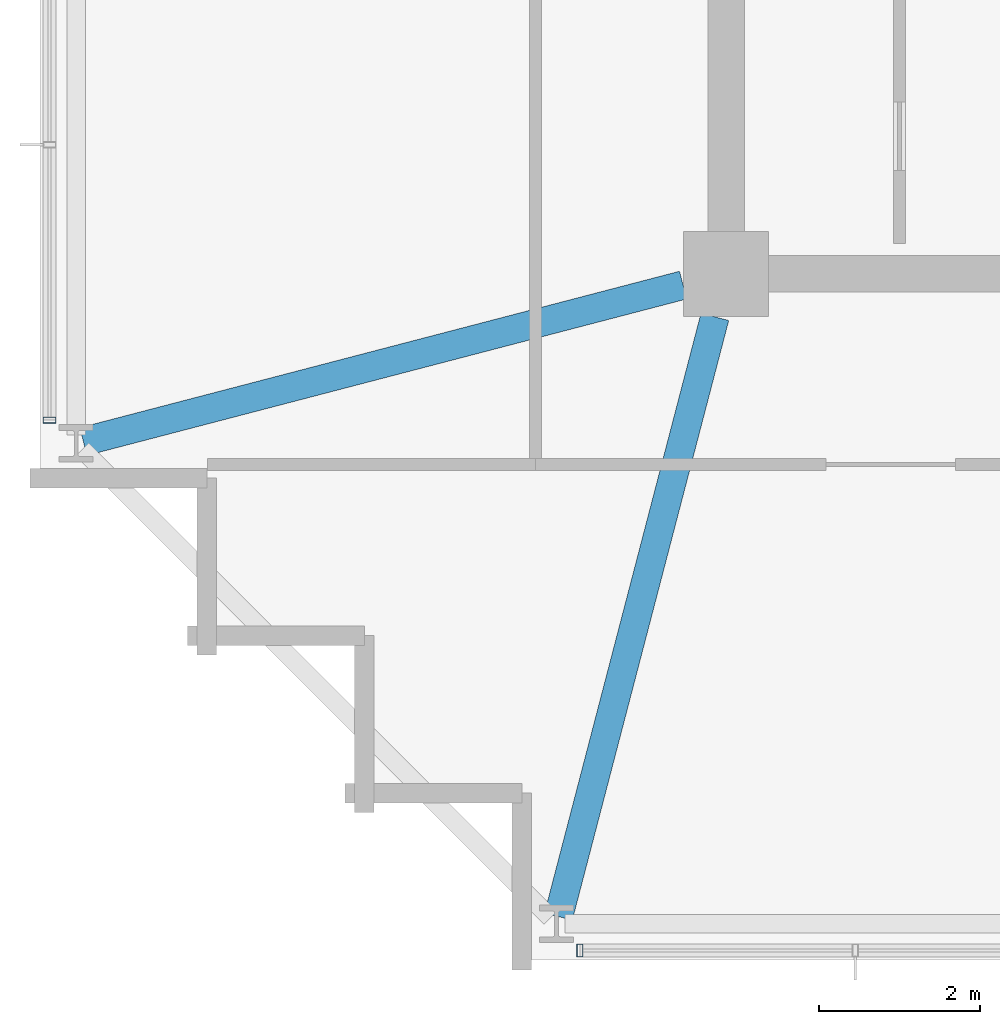
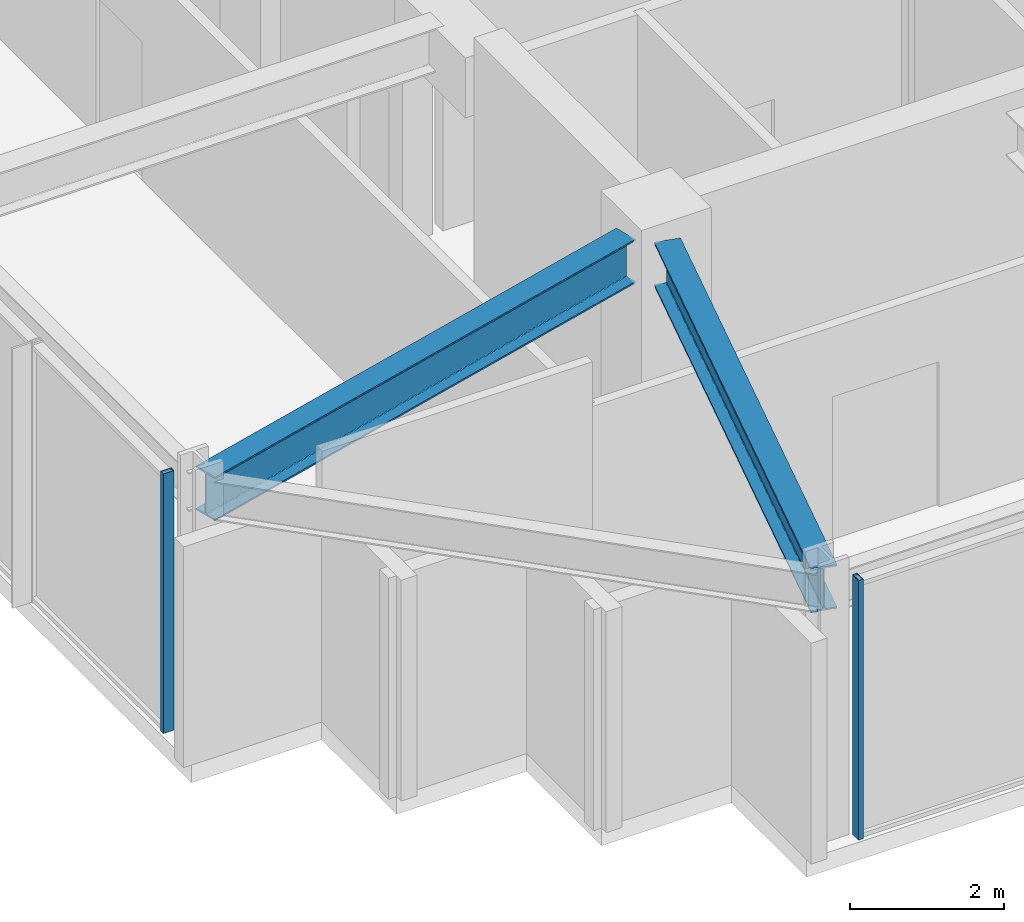
# One storey, part 2 of 26: 2 beams, 2 members, 2 elements without a shape of their own.
"""IFC4 building model written with IfcOpenShell, lengths in metres."""

from ifc_helpers import new_model, si_unit, direction, frame, origin, origin_2d, place, context, subcontext, project, spatial, hollow_rectangle, i_section, extrude, material, material_profile, profile_set, type_object, element, aggregate, save


model = new_model("IFC4")

# Units and contexts
model_context = context("Model", 3, precision=1e-05, world=origin(), true_north=direction((0.0, 1.0)))
body_context = subcontext(model_context, "Body", "Model", "MODEL_VIEW")
ifc_project = project(units=[si_unit("LENGTHUNIT", "METRE"), si_unit("AREAUNIT", "SQUARE_METRE"), si_unit("VOLUMEUNIT", "CUBIC_METRE"), si_unit("PLANEANGLEUNIT", "RADIAN"), si_unit("MASSUNIT", "GRAM", prefix="KILO")], contexts=[model_context])

# Site, building, storey
site_placement = place(None, origin())
site = spatial("IfcSite", under=ifc_project, at=site_placement, CompositionType="ELEMENT")
building_placement = place(site_placement, origin())
building = spatial("IfcBuilding", under=site, at=building_placement, Name="Kolvaren Belvedere", CompositionType="ELEMENT")
storey_placement = place(building_placement, frame((0.0, 0.0, 258.39990234375)))
storey = spatial("IfcBuildingStorey", under=building, at=storey_placement, Name="L75", CompositionType="ELEMENT", Elevation=258.39990234375)

# Beams
ifc_material_1 = material(Name="Structural steel ASTM A992 Grade 50", Category="steel")
ifc_material_profile_1 = material_profile(ifc_material_1, i_section(OverallWidth=0.35498046875, OverallDepth=0.696044921875, WebThickness=0.015380859375, FlangeThickness=0.02490234375, FilletRadius=0.02197265625, at=origin_2d()), Name="W27X146")
ifc_profile_set_1 = profile_set([ifc_material_profile_1], Name="Structural steel ASTM A992 Grade 50")
beam_type = type_object("IfcBeamType", Name="BM-GIRD-W27X146", PredefinedType="BEAM", material=ifc_profile_set_1)
for number, where, z_axis, x_axis, name in (
    (1, (-10.038818359375, -10.43212890625, 3.772216796875), (-0.252423191796, -0.967616934661, 0.0), (0.967616934661, -0.252423191796, 0.0), "L75 Corner Core-to-Perimeter Girder CC1-S1"),
    (2, (-10.43212890625, -10.038818359375, 3.772216796875), (-0.967616934661, -0.252423191796, 0.0), (0.252423191796, -0.967616934661, 0.0), "L75 Corner Core-to-Perimeter Girder CC1-W1"),
):
    element("IfcBeam", number, at=place(storey_placement, frame(where, z_axis=z_axis, x_axis=x_axis)), inside=storey, type_object=beam_type, Name=name, PredefinedType="BEAM", context=body_context, shape_type="SweptSolid", body=[
        extrude(i_section(OverallWidth=0.35498046875, OverallDepth=0.696044921875, WebThickness=0.015380859375, FlangeThickness=0.02490234375, FilletRadius=0.02197265625, at=origin_2d()), origin(), (0.0, 0.0, 1.0), 7.676513671875),
    ])

# Curtain wall, member
ifc_material_2 = material(Name="Anodised pale-metal aluminium AA 6063-T6", Category="aluminium")
curtain_wall_type = type_object("IfcCurtainWallType", Name="CW-CRN-OBS", PredefinedType="NOTDEFINED", material=ifc_material_2)
curtain_wall_1_placement = place(storey_placement, origin())
curtain_wall_1 = element("IfcCurtainWall", 3, at=curtain_wall_1_placement, inside=storey, type_object=curtain_wall_type, Name="L75 Unitised Curtain Wall FCW-L75-S-B3", PredefinedType="NOTDEFINED")
ifc_material_3 = material(Name="Anodised pale-metal aluminium AA 6063-T6", Category="aluminium")
ifc_material_profile_2 = material_profile(ifc_material_3, hollow_rectangle(XDim=0.074951171875, YDim=0.159912109375, WallThickness=0.00439453125, at=origin_2d()), Name="ALU-MUL-160X75")
ifc_profile_set_2 = profile_set([ifc_material_profile_2], Name="Anodised pale-metal aluminium AA 6063-T6")
member_type = type_object("IfcMemberType", Name="CW-MUL-160", PredefinedType="MULLION", material=ifc_profile_set_2)
member_1_placement = place(storey_placement, frame((-11.7099609375, -18.280029296875, 0.0), z_axis=(0.0, 0.0, 1.0), x_axis=(1.0, 0.0, 0.0)))
member_1 = element("IfcMember", 4, at=member_1_placement, type_object=member_type, Name="FCW-L75-S-B3 Unitised Mullion 3", PredefinedType="MULLION", context=body_context, shape_type="SweptSolid", body=[
    extrude(hollow_rectangle(XDim=0.074951171875, YDim=0.159912109375, WallThickness=0.00439453125, at=origin_2d()), origin(), (0.0, 0.0, 1.0), 4.1201171875),
])
aggregate(curtain_wall_1, [member_1])

curtain_wall_2_placement = place(storey_placement, origin())
curtain_wall_2 = element("IfcCurtainWall", 5, at=curtain_wall_2_placement, inside=storey, type_object=curtain_wall_type, Name="L75 Unitised Curtain Wall FCW-L75-W-B1", PredefinedType="NOTDEFINED")
member_2_placement = place(storey_placement, frame((-18.280029296875, -11.7099609375, 0.0), z_axis=(0.0, 0.0, 1.0), x_axis=(0.0, 1.0, 0.0)))
member_2 = element("IfcMember", 6, at=member_2_placement, type_object=member_type, Name="FCW-L75-W-B1 Unitised Mullion 1", PredefinedType="MULLION", context=body_context, shape_type="SweptSolid", body=[
    extrude(hollow_rectangle(XDim=0.074951171875, YDim=0.159912109375, WallThickness=0.00439453125, at=origin_2d()), origin(), (0.0, 0.0, 1.0), 4.1201171875),
])
aggregate(curtain_wall_2, [member_2])

save(model, "model.ifc")
